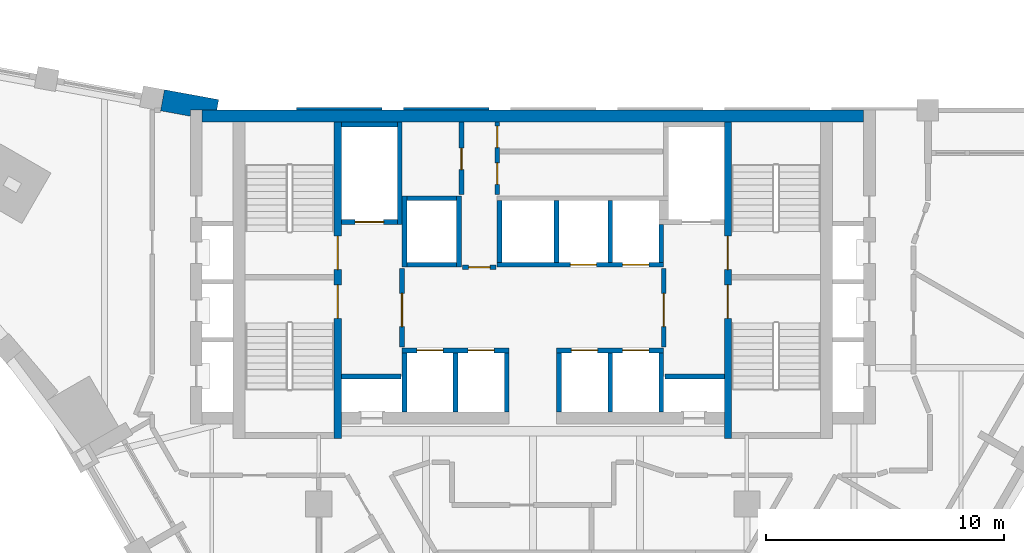
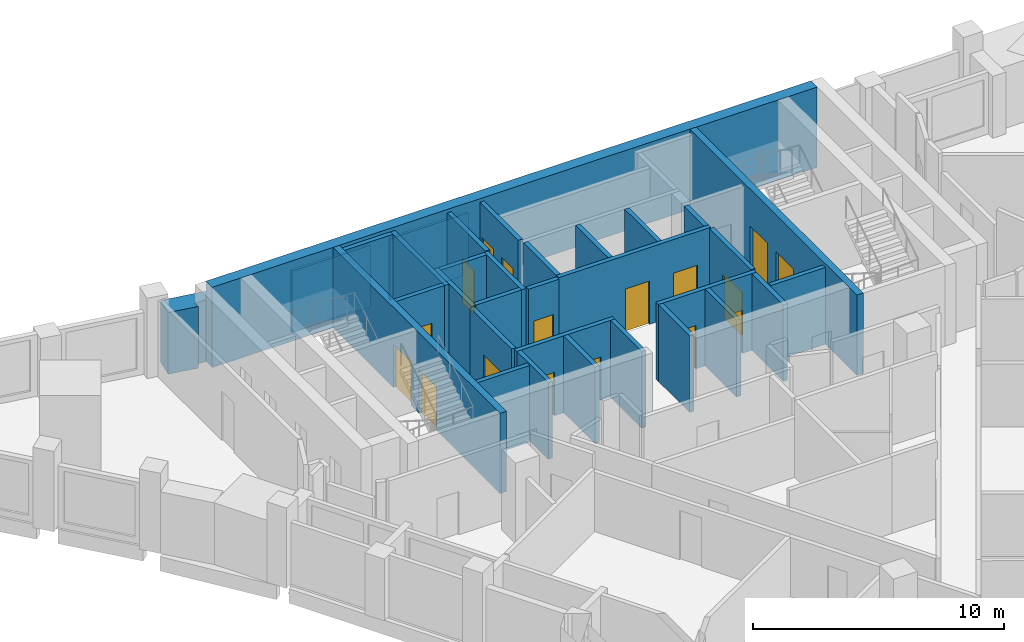
# One storey, part 6 of 9: 33 walls, 17 doors, 17 openings.
"""IFC4 building model written with IfcOpenShell, lengths in metres."""

import ifcopenshell
import ifcopenshell.guid

model = None  # the IFC model being written
_history = None  # IfcOwnerHistory: only IFC2X3 demands one
_inside = {}  # id of a spatial element -> (the spatial element, [elements in it])
_under = {}  # id of a project, library or spatial element -> (it, [spatial elements below it])
_declared = {}  # id of a project -> (the project, [libraries it declares])
_typed = {}  # id of a type object -> (the type object, [elements of that type])
_made_of = {}  # id of a material, layer set ... -> (it, [elements and type objects made of it])


def new_model(schema):
    """Start an empty IFC model of exactly this schema.

    Asked for "IFC4X3", IfcOpenShell would pick the latest addendum, in which some entities
    have other attributes; the version numbers below select the first issue.
    IFC2X3 requires an IfcOwnerHistory on every rooted entity: one is made here for all.
    """
    global model, _history
    if schema == "IFC4X3":
        model = ifcopenshell.file(schema_version=(4, 3, 0, 0))
    else:
        model = ifcopenshell.file(schema=schema)
    _inside.clear()
    _under.clear()
    _declared.clear()
    _typed.clear()
    _made_of.clear()
    _history = None
    if model.schema == "IFC2X3":
        org = make("IfcOrganization", Name="unknown")
        user = make(
            "IfcPersonAndOrganization",
            ThePerson=make("IfcPerson", FamilyName="unknown"),
            TheOrganization=org,
        )
        app = make(
            "IfcApplication",
            ApplicationDeveloper=org,
            Version="unknown",
            ApplicationFullName="unknown",
            ApplicationIdentifier="unknown",
        )
        _history = make(
            "IfcOwnerHistory",
            OwningUser=user,
            OwningApplication=app,
            ChangeAction="ADDED",
            CreationDate=0,
        )
    return model


def make(cls, **values):
    """One entity of the class cls with the attributes given. An attribute that is None is left unset."""
    return model.create_entity(
        cls, **{name: value for name, value in values.items() if value is not None}
    )


def rooted(cls, **values):
    """An entity with a GlobalId (a new one), such as an element, a storey or a relation."""
    return make(cls, GlobalId=ifcopenshell.guid.new(), OwnerHistory=_history, **values)


def si_unit(unit_type, name, prefix=None):
    """IfcSIUnit, for example si_unit("LENGTHUNIT", "METRE", prefix="MILLI")."""
    return make("IfcSIUnit", UnitType=unit_type, Prefix=prefix, Name=name)


def assignment(units):
    """IfcUnitAssignment: the units of a project."""
    return None if units is None else make("IfcUnitAssignment", Units=units)


def point(xyz):
    """IfcCartesianPoint."""
    return None if xyz is None else make("IfcCartesianPoint", Coordinates=xyz)


def direction(xyz):
    """IfcDirection."""
    return None if xyz is None else make("IfcDirection", DirectionRatios=xyz)


def frame(location, z_axis=None, x_axis=None):
    """IfcAxis2Placement3D, a coordinate frame: its origin and axes. An axis left out is left unset."""
    return make(
        "IfcAxis2Placement3D",
        Location=point(location),
        Axis=direction(z_axis),
        RefDirection=direction(x_axis),
    )


def frame_2d(location, x_axis=None):
    """IfcAxis2Placement2D, a coordinate frame in the plane: its origin and x axis."""
    return make(
        "IfcAxis2Placement2D", Location=point(location), RefDirection=direction(x_axis)
    )


def origin():
    """The frame at (0, 0, 0) with its axes left unset."""
    return frame((0.0, 0.0, 0.0))


def place(relative_to, where):
    """IfcLocalPlacement: puts the frame where relative to a parent placement (None: the world)."""
    return make(
        "IfcLocalPlacement", PlacementRelTo=relative_to, RelativePlacement=where
    )


def context(
    kind, dimensions, precision=None, world=None, true_north=None, identifier=None
):
    """IfcGeometricRepresentationContext, for example the 3D "Model" context."""
    return make(
        "IfcGeometricRepresentationContext",
        ContextIdentifier=identifier,
        ContextType=kind,
        CoordinateSpaceDimension=dimensions,
        Precision=precision,
        WorldCoordinateSystem=world,
        TrueNorth=true_north,
    )


def subcontext(parent, identifier, kind, view, scale=None):
    """IfcGeometricRepresentationSubContext, for example "Body" below "Model"."""
    return make(
        "IfcGeometricRepresentationSubContext",
        ContextIdentifier=identifier,
        ContextType=kind,
        ParentContext=parent,
        TargetScale=scale,
        TargetView=view,
    )


def project(units=None, contexts=None):
    """IfcProject with its units and contexts."""
    return rooted(
        "IfcProject",
        Name="project",
        RepresentationContexts=contexts,
        UnitsInContext=assignment(units),
    )


def spatial(cls, under=None, at=None, **own):
    """A site, building, storey or space (cls), placed at a placement, below another one or the project."""
    s = rooted(cls, ObjectPlacement=at, **own)
    if under is not None:
        _under.setdefault(under.id(), (under, []))[1].append(s)
    return s


def polyline(points):
    """IfcPolyline through the points."""
    return make("IfcPolyline", Points=[point(p) for p in points])


def profile(cls, at=None, kind="AREA", **sizes):
    """A parametric profile (cls). Its sizes go by their IFC names, for example OverallWidth=200.0."""
    return make(cls, ProfileType=kind, Position=at, **sizes)


def rectangle(**sizes):
    """IfcRectangleProfileDef."""
    return profile("IfcRectangleProfileDef", **sizes)


def outline(outer, holes=None, kind="AREA"):
    """IfcArbitraryClosedProfileDef: a profile drawn as a closed curve; with holes, ...WithVoids."""
    if holes is None:
        return make("IfcArbitraryClosedProfileDef", ProfileType=kind, OuterCurve=outer)
    return make(
        "IfcArbitraryProfileDefWithVoids",
        ProfileType=kind,
        OuterCurve=outer,
        InnerCurves=holes,
    )


def extrude(swept, where, along, depth):
    """IfcExtrudedAreaSolid: the profile swept, set in the frame where, extruded along a direction by depth."""
    return make(
        "IfcExtrudedAreaSolid",
        SweptArea=swept,
        Position=where,
        ExtrudedDirection=direction(along),
        Depth=depth,
    )


def shape(context_of_items, identifier, shape_type, items):
    """IfcShapeRepresentation: the items that make up one representation, for example the "Body"."""
    return make(
        "IfcShapeRepresentation",
        ContextOfItems=context_of_items,
        RepresentationIdentifier=identifier,
        RepresentationType=shape_type,
        Items=items,
    )


def material(Name=None, Category=None):
    """IfcMaterial."""
    return make("IfcMaterial", Name=Name, Category=Category)


def layer(
    of_material, thickness, ventilated=None, Name=None, Category=None, Priority=None
):
    """IfcMaterialLayer: one layer of a wall or slab, of a material (None: an air gap)."""
    return make(
        "IfcMaterialLayer",
        Material=of_material,
        LayerThickness=thickness,
        IsVentilated=ventilated,
        Name=Name,
        Category=Category,
        Priority=Priority,
    )


def layer_set(layers, Name=None):
    """IfcMaterialLayerSet."""
    return make("IfcMaterialLayerSet", MaterialLayers=layers, LayerSetName=Name)


def made_of(thing, what):
    """Note that an element or type object is made of a material, layer set ...; save() writes the relation."""
    if what is not None:
        _made_of.setdefault(what.id(), (what, []))[1].append(thing)
    return thing


def type_object(cls, material=None, **own):
    """A type object (cls), such as IfcWallType, which elements share."""
    return made_of(rooted(cls, **own), material)


def element(
    cls,
    number,
    at=None,
    inside=None,
    cuts=None,
    type_object=None,
    material=None,
    context=None,
    identifier="Body",
    shape_type=None,
    held_by="IfcProductDefinitionShape",
    body=None,
    shapes=None,
    **own,
):
    """One element of the class cls, such as IfcWall. Its Tag is "e" and its number.

    at: its placement. inside: the storey or other place that contains it. cuts: it is an
    opening in that element (IfcRelVoidsElement). A single representation is given by context,
    identifier, shape_type and body (its items); several are given by shapes. held_by: the class
    of the entity that holds the representations. save() writes the other relations.
    """
    e = rooted(cls, Tag="e%d" % number, ObjectPlacement=at, **own)
    if body is not None:
        shapes = [shape(context, identifier, shape_type, body)]
    if shapes is not None:
        e.Representation = make(held_by, Representations=shapes)
    if inside is not None:
        _inside.setdefault(inside.id(), (inside, []))[1].append(e)
    if cuts is not None:
        rooted(
            "IfcRelVoidsElement", RelatingBuildingElement=cuts, RelatedOpeningElement=e
        )
    if type_object is not None:
        _typed.setdefault(type_object.id(), (type_object, []))[1].append(e)
    return made_of(e, material)


def fill(opening, filler):
    """IfcRelFillsElement: the door or window that sits in an opening."""
    return rooted(
        "IfcRelFillsElement",
        RelatingOpeningElement=opening,
        RelatedBuildingElement=filler,
    )


def aggregate(whole, parts):
    """IfcRelAggregates: a whole, such as a stair, and the parts it consists of."""
    return rooted("IfcRelAggregates", RelatingObject=whole, RelatedObjects=parts)


def save(model, path):
    """Write the relations noted so far, then the file.

    IfcRelAggregates (storeys below a building ...), IfcRelContainedInSpatialStructure (elements
    in a storey), IfcRelDefinesByType, IfcRelAssociatesMaterial and IfcRelDeclares: one each for
    every whole, place, type object, material and project.
    """
    for whole, parts in _under.values():
        aggregate(whole, parts)
    for where, things in _inside.values():
        rooted(
            "IfcRelContainedInSpatialStructure",
            RelatedElements=things,
            RelatingStructure=where,
        )
    for kind, things in _typed.values():
        rooted("IfcRelDefinesByType", RelatedObjects=things, RelatingType=kind)
    for what, things in _made_of.values():
        rooted("IfcRelAssociatesMaterial", RelatedObjects=things, RelatingMaterial=what)
    for by, libraries in _declared.values():
        rooted("IfcRelDeclares", RelatingContext=by, RelatedDefinitions=libraries)
    model.write(path)


model = new_model("IFC4")

# Units and contexts
model_context = context("Model", 3, precision=1e-05, world=origin(), true_north=direction((0.0, 1.0)))
body_context = subcontext(model_context, "Body", "Model", "MODEL_VIEW")
ifc_project = project(units=[si_unit("LENGTHUNIT", "METRE"), si_unit("AREAUNIT", "SQUARE_METRE"), si_unit("VOLUMEUNIT", "CUBIC_METRE"), si_unit("PLANEANGLEUNIT", "RADIAN"), si_unit("MASSUNIT", "GRAM", prefix="KILO")], contexts=[model_context])

# Site, building, storey
site_placement = place(None, origin())
site = spatial("IfcSite", under=ifc_project, at=site_placement, CompositionType="ELEMENT")
building_placement = place(site_placement, origin())
building = spatial("IfcBuilding", under=site, at=building_placement, Name="Calabash Gate Tower", CompositionType="ELEMENT")
storey_placement = place(building_placement, frame((0.0, 0.0, 215.89990234375)))
storey = spatial("IfcBuildingStorey", under=building, at=storey_placement, Name="L51", CompositionType="ELEMENT", Elevation=215.89990234375)

# Wall
ifc_material_1 = material(Name="Terracotta brick masonry, exposed face", Category="masonry")
ifc_layer_1 = layer(ifc_material_1, 0.89990234375)
ifc_layer_set_1 = layer_set([ifc_layer_1], Name="Brick end wall 900")
wall_type_1 = type_object("IfcWallType", Name="Brick end wall 900", PredefinedType="SOLIDWALL", material=ifc_layer_set_1)
wall_1_placement = place(storey_placement, origin())
element("IfcWall", 1, at=wall_1_placement, inside=storey, type_object=wall_type_1, Name="Brick end wall S14 1", PredefinedType="SOLIDWALL", context=body_context, shape_type="SweptSolid", body=[
    extrude(outline(polyline([(-15.651611328125, 19.02734375), (-15.65185546875, 19.027099609375), (-14.39990234375, 18.798095703125), (-14.39990234375, 19.052490234375), (-13.291015625, 19.052490234375), (-13.2099609375, 19.4951171875), (-15.489501953125, 19.912353515625), (-15.6513671875, 19.02734375), (-15.651611328125, 19.02734375)])), origin(), (0.0, 0.0, 1.0), 3.0),
])

# Wall, openings, doors
ifc_material_2 = material(Name="Concrete C70/85", Category="concrete")
ifc_layer_2 = layer(ifc_material_2, 0.300048828125)
ifc_layer_set_2 = layer_set([ifc_layer_2], Name="Core wall 300 Concrete C70/85")
wall_type_2 = type_object("IfcWallType", Name="Core wall 300 Concrete C70/85", PredefinedType="SHEAR", material=ifc_layer_set_2)
wall_2_placement = place(storey_placement, frame((-8.199951171875, 5.252685546875, 0.0), z_axis=(0.0, 0.0, 1.0), x_axis=(0.0, 1.0, 0.0)))
wall_2 = element("IfcWall", 2, at=wall_2_placement, inside=storey, type_object=wall_type_2, Name="Core wall Z4-PARTW L51", PredefinedType="SHEAR", context=body_context, shape_type="SweptSolid", body=[
    extrude(rectangle(XDim=13.2998046875, YDim=0.300048828125, at=frame_2d((6.64990234375, 0.0))), origin(), (0.0, 0.0, 1.0), 3.900146484375),
])
opening_1_placement = place(wall_2_placement, frame((7.10009765625, 0.0, 0.0)))
opening_1 = element("IfcOpeningElement", 3, at=opening_1_placement, cuts=wall_2, Name="Opening O6-017", PredefinedType="OPENING", context=body_context, shape_type="SweptSolid", body=[
    extrude(rectangle(XDim=1.39990234375, YDim=2.10009765625, at=frame_2d((0.699951171875, 1.050048828125))), frame((0.0, 0.159912109375, 0.0), z_axis=(0.0, -1.0, 0.0), x_axis=(1.0, 0.0, 0.0)), (0.0, 0.0, 1.0), 0.320068359375),
])
opening_2_placement = place(wall_2_placement, frame((5.050048828125, 0.0, 0.0)))
opening_2 = element("IfcOpeningElement", 4, at=opening_2_placement, cuts=wall_2, Name="Opening O6-018", PredefinedType="OPENING", context=body_context, shape_type="SweptSolid", body=[
    extrude(rectangle(XDim=1.39990234375, YDim=2.10009765625, at=frame_2d((0.699951171875, 1.050048828125))), frame((0.0, 0.159912109375, 0.0), z_axis=(0.0, -1.0, 0.0), x_axis=(1.0, 0.0, 0.0)), (0.0, 0.0, 1.0), 0.320068359375),
])
ifc_material_3 = material(Name="Steel fire door set with fire-resisting glazing", Category="steel")
door_type_1 = type_object("IfcDoorType", Name="Fire door D05 1400x2100 FD90", OperationType="NOTDEFINED", PredefinedType="DOOR", material=ifc_material_3)
door_1_placement = place(opening_1_placement, origin())
door_1 = element("IfcDoor", 5, at=door_1_placement, inside=storey, type_object=door_type_1, Name="Exit stair door ST1", OperationType="SINGLE_SWING_LEFT", OverallHeight=2.10009765625, OverallWidth=1.39990234375, PredefinedType="DOOR", context=body_context, shape_type="SweptSolid", body=[
    extrude(rectangle(XDim=1.39990234375, YDim=2.10009765625, at=frame_2d((0.699951171875, 1.050048828125))), frame((0.0, 0.02490234375, 0.0), z_axis=(0.0, -1.0, 0.0), x_axis=(1.0, 0.0, 0.0)), (0.0, 0.0, 1.0), 0.050048828125),
])
fill(opening_1, door_1)
door_2_placement = place(opening_2_placement, origin())
door_2 = element("IfcDoor", 6, at=door_2_placement, inside=storey, type_object=door_type_1, Name="Exit stair door ST2", OperationType="SINGLE_SWING_LEFT", OverallHeight=2.10009765625, OverallWidth=1.39990234375, PredefinedType="DOOR", context=body_context, shape_type="SweptSolid", body=[
    extrude(rectangle(XDim=1.39990234375, YDim=2.10009765625, at=frame_2d((0.699951171875, 1.050048828125))), frame((0.0, 0.02490234375, 0.0), z_axis=(0.0, -1.0, 0.0), x_axis=(1.0, 0.0, 0.0)), (0.0, 0.0, 1.0), 0.050048828125),
])
fill(opening_2, door_2)

wall_3_placement = place(storey_placement, frame((8.199951171875, 5.252685546875, 0.0), z_axis=(0.0, 0.0, 1.0), x_axis=(0.0, 1.0, 0.0)))
wall_3 = element("IfcWall", 7, at=wall_3_placement, inside=storey, type_object=wall_type_2, Name="Core wall Z4-PARTE L51", PredefinedType="SHEAR", context=body_context, shape_type="SweptSolid", body=[
    extrude(rectangle(XDim=13.2998046875, YDim=0.300048828125, at=frame_2d((6.64990234375, 0.0))), origin(), (0.0, 0.0, 1.0), 3.900146484375),
])
opening_3_placement = place(wall_3_placement, frame((7.10009765625, 0.0, 0.0)))
opening_3 = element("IfcOpeningElement", 8, at=opening_3_placement, cuts=wall_3, Name="Opening O6-019", PredefinedType="OPENING", context=body_context, shape_type="SweptSolid", body=[
    extrude(rectangle(XDim=1.39990234375, YDim=2.10009765625, at=frame_2d((0.699951171875, 1.050048828125))), frame((0.0, 0.159912109375, 0.0), z_axis=(0.0, -1.0, 0.0), x_axis=(1.0, 0.0, 0.0)), (0.0, 0.0, 1.0), 0.320068359375),
])
opening_4_placement = place(wall_3_placement, frame((5.050048828125, 0.0, 0.0)))
opening_4 = element("IfcOpeningElement", 9, at=opening_4_placement, cuts=wall_3, Name="Opening O6-020", PredefinedType="OPENING", context=body_context, shape_type="SweptSolid", body=[
    extrude(rectangle(XDim=1.39990234375, YDim=2.10009765625, at=frame_2d((0.699951171875, 1.050048828125))), frame((0.0, 0.159912109375, 0.0), z_axis=(0.0, -1.0, 0.0), x_axis=(1.0, 0.0, 0.0)), (0.0, 0.0, 1.0), 0.320068359375),
])
door_3_placement = place(opening_3_placement, origin())
door_3 = element("IfcDoor", 10, at=door_3_placement, inside=storey, type_object=door_type_1, Name="Exit stair door ST3", OperationType="SINGLE_SWING_RIGHT", OverallHeight=2.10009765625, OverallWidth=1.39990234375, PredefinedType="DOOR", context=body_context, shape_type="SweptSolid", body=[
    extrude(rectangle(XDim=1.39990234375, YDim=2.10009765625, at=frame_2d((0.699951171875, 1.050048828125))), frame((0.0, 0.02490234375, 0.0), z_axis=(0.0, -1.0, 0.0), x_axis=(1.0, 0.0, 0.0)), (0.0, 0.0, 1.0), 0.050048828125),
])
fill(opening_3, door_3)
door_4_placement = place(opening_4_placement, origin())
door_4 = element("IfcDoor", 11, at=door_4_placement, inside=storey, type_object=door_type_1, Name="Exit stair door ST4", OperationType="SINGLE_SWING_LEFT", OverallHeight=2.10009765625, OverallWidth=1.39990234375, PredefinedType="DOOR", context=body_context, shape_type="SweptSolid", body=[
    extrude(rectangle(XDim=1.39990234375, YDim=2.10009765625, at=frame_2d((0.699951171875, 1.050048828125))), frame((0.0, 0.02490234375, 0.0), z_axis=(0.0, -1.0, 0.0), x_axis=(1.0, 0.0, 0.0)), (0.0, 0.0, 1.0), 0.050048828125),
])
fill(opening_4, door_4)

# Walls
ifc_material_4 = material(Name="Concrete C70/85", Category="concrete")
ifc_layer_3 = layer(ifc_material_4, 0.5)
ifc_layer_set_3 = layer_set([ifc_layer_3], Name="Core wall 500 Concrete C70/85")
wall_type_3 = type_object("IfcWallType", Name="Core wall 500 Concrete C70/85", PredefinedType="SHEAR", material=ifc_layer_set_3)
wall_4_placement = place(storey_placement, frame((-13.89990234375, 18.802490234375, 0.0), z_axis=(0.0, 0.0, 1.0), x_axis=(1.0, 0.0, 0.0)))
element("IfcWall", 12, at=wall_4_placement, inside=storey, type_object=wall_type_3, Name="Core wall Z4-N L51", PredefinedType="SHEAR", context=body_context, shape_type="SweptSolid", body=[
    extrude(rectangle(XDim=27.7998046875, YDim=0.5, at=frame_2d((13.89990234375, 0.0))), origin(), (0.0, 0.0, 1.0), 3.900146484375),
])
ifc_material_5 = material(Name="Concrete C40/50", Category="concrete")
ifc_layer_4 = layer(ifc_material_5, 0.199951171875)
ifc_layer_set_4 = layer_set([ifc_layer_4], Name="Shaft wall 200 Concrete C40/50")
wall_type_4 = type_object("IfcWallType", Name="Shaft wall 200 Concrete C40/50", PredefinedType="SOLIDWALL", material=ifc_layer_set_4)
for number, where, z_axis, x_axis, name in (
    (13, (-5.39990234375, 6.3525390625, 0.0), (0.0, 0.0, 1.0), (0.0, 1.0, 0.0), "Shaft wall"),
    (14, (-3.25, 6.3525390625, 0.0), (0.0, 0.0, 1.0), (0.0, 1.0, 0.0), "Shaft wall"),
    (15, (-1.10009765625, 6.3525390625, 0.0), (0.0, 0.0, 1.0), (0.0, 1.0, 0.0), "Shaft wall"),
    (16, (1.10009765625, 6.3525390625, 0.0), (0.0, 0.0, 1.0), (0.0, 1.0, 0.0), "Shaft wall"),
    (17, (3.25, 6.3525390625, 0.0), (0.0, 0.0, 1.0), (0.0, 1.0, 0.0), "Shaft wall"),
    (18, (5.39990234375, 6.3525390625, 0.0), (0.0, 0.0, 1.0), (0.0, 1.0, 0.0), "Shaft wall"),
    (19, (-8.050048828125, 7.8525390625, 0.0), (0.0, 0.0, 1.0), (1.0, 0.0, 0.0), "Shaft wall"),
    (20, (5.550048828125, 7.8525390625, 0.0), (0.0, 0.0, 1.0), (1.0, 0.0, 0.0), "Shaft wall"),
):
    element("IfcWall", number, at=place(storey_placement, frame(where, z_axis=z_axis, x_axis=x_axis)), inside=storey, type_object=wall_type_4, Name=name, PredefinedType="SOLIDWALL", context=body_context, shape_type="SweptSolid", body=[
        extrude(rectangle(XDim=2.5, YDim=0.199951171875, at=frame_2d((1.25, 0.0))), origin(), (0.0, 0.0, 1.0), 3.72998046875),
    ])

# Wall, openings, doors
wall_5_placement = place(storey_placement, frame((-5.5, 8.95263671875, 0.0), z_axis=(0.0, 0.0, 1.0), x_axis=(1.0, 0.0, 0.0)))
wall_5 = element("IfcWall", 21, at=wall_5_placement, inside=storey, type_object=wall_type_4, Name="Shaft wall", PredefinedType="SOLIDWALL", context=body_context, shape_type="SweptSolid", body=[
    extrude(rectangle(XDim=4.5, YDim=0.199951171875, at=frame_2d((2.25, 0.0))), origin(), (0.0, 0.0, 1.0), 3.72998046875),
])
opening_5_placement = place(wall_5_placement, frame((0.625, 0.0, 0.0)))
opening_5 = element("IfcOpeningElement", 22, at=opening_5_placement, cuts=wall_5, Name="Opening LD-HR1", PredefinedType="OPENING", context=body_context, shape_type="SweptSolid", body=[
    extrude(rectangle(XDim=1.10009765625, YDim=2.10009765625, at=frame_2d((0.550048828125, 1.050048828125))), frame((0.0, 0.10986328125, 0.0), z_axis=(0.0, -1.0, 0.0), x_axis=(1.0, 0.0, 0.0)), (0.0, 0.0, 1.0), 0.219970703125),
])
opening_6_placement = place(wall_5_placement, frame((2.77490234375, 0.0, 0.0)))
opening_6 = element("IfcOpeningElement", 23, at=opening_6_placement, cuts=wall_5, Name="Opening LD-HR2", PredefinedType="OPENING", context=body_context, shape_type="SweptSolid", body=[
    extrude(rectangle(XDim=1.10009765625, YDim=2.10009765625, at=frame_2d((0.550048828125, 1.050048828125))), frame((0.0, 0.10986328125, 0.0), z_axis=(0.0, -1.0, 0.0), x_axis=(1.0, 0.0, 0.0)), (0.0, 0.0, 1.0), 0.219970703125),
])
ifc_material_6 = material(Name="Stainless steel sliding door leaves", Category="steel")
door_type_2 = type_object("IfcDoorType", Name="Lift landing door LS1 1100x2100 FD90", OperationType="DOUBLE_DOOR_SLIDING", PredefinedType="DOOR", material=ifc_material_6)
door_5_placement = place(opening_5_placement, origin())
door_5 = element("IfcDoor", 24, at=door_5_placement, inside=storey, type_object=door_type_2, Name="Lift landing door HR1", OperationType="DOUBLE_DOOR_SLIDING", OverallHeight=2.10009765625, OverallWidth=1.10009765625, PredefinedType="DOOR", context=body_context, shape_type="SweptSolid", body=[
    extrude(rectangle(XDim=1.10009765625, YDim=2.10009765625, at=frame_2d((0.550048828125, 1.050048828125))), frame((0.0, 0.02490234375, 0.0), z_axis=(0.0, -1.0, 0.0), x_axis=(1.0, 0.0, 0.0)), (0.0, 0.0, 1.0), 0.050048828125),
])
fill(opening_5, door_5)
door_6_placement = place(opening_6_placement, origin())
door_6 = element("IfcDoor", 25, at=door_6_placement, inside=storey, type_object=door_type_2, Name="Lift landing door HR2", OperationType="DOUBLE_DOOR_SLIDING", OverallHeight=2.10009765625, OverallWidth=1.10009765625, PredefinedType="DOOR", context=body_context, shape_type="SweptSolid", body=[
    extrude(rectangle(XDim=1.10009765625, YDim=2.10009765625, at=frame_2d((0.550048828125, 1.050048828125))), frame((0.0, 0.02490234375, 0.0), z_axis=(0.0, -1.0, 0.0), x_axis=(1.0, 0.0, 0.0)), (0.0, 0.0, 1.0), 0.050048828125),
])
fill(opening_6, door_6)

wall_6_placement = place(storey_placement, frame((1.0, 8.95263671875, 0.0), z_axis=(0.0, 0.0, 1.0), x_axis=(1.0, 0.0, 0.0)))
wall_6 = element("IfcWall", 26, at=wall_6_placement, inside=storey, type_object=wall_type_4, Name="Shaft wall", PredefinedType="SOLIDWALL", context=body_context, shape_type="SweptSolid", body=[
    extrude(rectangle(XDim=4.5, YDim=0.199951171875, at=frame_2d((2.25, 0.0))), origin(), (0.0, 0.0, 1.0), 3.72998046875),
])
opening_7_placement = place(wall_6_placement, frame((0.625, 0.0, 0.0)))
opening_7 = element("IfcOpeningElement", 27, at=opening_7_placement, cuts=wall_6, Name="Opening LD-HR3", PredefinedType="OPENING", context=body_context, shape_type="SweptSolid", body=[
    extrude(rectangle(XDim=1.10009765625, YDim=2.10009765625, at=frame_2d((0.550048828125, 1.050048828125))), frame((0.0, 0.10986328125, 0.0), z_axis=(0.0, -1.0, 0.0), x_axis=(1.0, 0.0, 0.0)), (0.0, 0.0, 1.0), 0.219970703125),
])
opening_8_placement = place(wall_6_placement, frame((2.77490234375, 0.0, 0.0)))
opening_8 = element("IfcOpeningElement", 28, at=opening_8_placement, cuts=wall_6, Name="Opening LD-HR4", PredefinedType="OPENING", context=body_context, shape_type="SweptSolid", body=[
    extrude(rectangle(XDim=1.10009765625, YDim=2.10009765625, at=frame_2d((0.550048828125, 1.050048828125))), frame((0.0, 0.10986328125, 0.0), z_axis=(0.0, -1.0, 0.0), x_axis=(1.0, 0.0, 0.0)), (0.0, 0.0, 1.0), 0.219970703125),
])
door_7_placement = place(opening_7_placement, origin())
door_7 = element("IfcDoor", 29, at=door_7_placement, inside=storey, type_object=door_type_2, Name="Lift landing door HR3", OperationType="DOUBLE_DOOR_SLIDING", OverallHeight=2.10009765625, OverallWidth=1.10009765625, PredefinedType="DOOR", context=body_context, shape_type="SweptSolid", body=[
    extrude(rectangle(XDim=1.10009765625, YDim=2.10009765625, at=frame_2d((0.550048828125, 1.050048828125))), frame((0.0, 0.02490234375, 0.0), z_axis=(0.0, -1.0, 0.0), x_axis=(1.0, 0.0, 0.0)), (0.0, 0.0, 1.0), 0.050048828125),
])
fill(opening_7, door_7)
door_8_placement = place(opening_8_placement, origin())
door_8 = element("IfcDoor", 30, at=door_8_placement, inside=storey, type_object=door_type_2, Name="Lift landing door HR4", OperationType="DOUBLE_DOOR_SLIDING", OverallHeight=2.10009765625, OverallWidth=1.10009765625, PredefinedType="DOOR", context=body_context, shape_type="SweptSolid", body=[
    extrude(rectangle(XDim=1.10009765625, YDim=2.10009765625, at=frame_2d((0.550048828125, 1.050048828125))), frame((0.0, 0.02490234375, 0.0), z_axis=(0.0, -1.0, 0.0), x_axis=(1.0, 0.0, 0.0)), (0.0, 0.0, 1.0), 0.050048828125),
])
fill(opening_8, door_8)

# Wall, opening, door
wall_7_placement = place(storey_placement, frame((-5.5, 9.1025390625, 0.0), z_axis=(0.0, 0.0, 1.0), x_axis=(0.0, 1.0, 0.0)))
wall_7 = element("IfcWall", 31, at=wall_7_placement, inside=storey, type_object=wall_type_4, Name="Shaft wall", PredefinedType="SOLIDWALL", context=body_context, shape_type="SweptSolid", body=[
    extrude(rectangle(XDim=3.300048828125, YDim=0.199951171875, at=frame_2d((1.64990234375, 0.0))), origin(), (0.0, 0.0, 1.0), 3.72998046875),
])
opening_9_placement = place(wall_7_placement, frame((0.85009765625, 0.0, 0.0)))
opening_9 = element("IfcOpeningElement", 32, at=opening_9_placement, cuts=wall_7, Name="Opening O6-011", PredefinedType="OPENING", context=body_context, shape_type="SweptSolid", body=[
    extrude(rectangle(XDim=1.39990234375, YDim=2.10009765625, at=frame_2d((0.699951171875, 1.050048828125))), frame((0.0, 0.10986328125, 0.0), z_axis=(0.0, -1.0, 0.0), x_axis=(1.0, 0.0, 0.0)), (0.0, 0.0, 1.0), 0.219970703125),
])
door_9_placement = place(opening_9_placement, origin())
door_9 = element("IfcDoor", 33, at=door_9_placement, inside=storey, type_object=door_type_1, Name="Firefighting Lobby W door", OperationType="SINGLE_SWING_RIGHT", OverallHeight=2.10009765625, OverallWidth=1.39990234375, PredefinedType="DOOR", context=body_context, shape_type="SweptSolid", body=[
    extrude(rectangle(XDim=1.39990234375, YDim=2.10009765625, at=frame_2d((0.699951171875, 1.050048828125))), frame((0.0, 0.02490234375, 0.0), z_axis=(0.0, -1.0, 0.0), x_axis=(1.0, 0.0, 0.0)), (0.0, 0.0, 1.0), 0.050048828125),
])
fill(opening_9, door_9)

wall_8_placement = place(storey_placement, frame((5.5, 9.1025390625, 0.0), z_axis=(0.0, 0.0, 1.0), x_axis=(0.0, 1.0, 0.0)))
wall_8 = element("IfcWall", 34, at=wall_8_placement, inside=storey, type_object=wall_type_4, Name="Shaft wall", PredefinedType="SOLIDWALL", context=body_context, shape_type="SweptSolid", body=[
    extrude(rectangle(XDim=3.300048828125, YDim=0.199951171875, at=frame_2d((1.64990234375, 0.0))), origin(), (0.0, 0.0, 1.0), 3.72998046875),
])
opening_10_placement = place(wall_8_placement, frame((0.85009765625, 0.0, 0.0)))
opening_10 = element("IfcOpeningElement", 35, at=opening_10_placement, cuts=wall_8, Name="Opening O6-010", PredefinedType="OPENING", context=body_context, shape_type="SweptSolid", body=[
    extrude(rectangle(XDim=1.39990234375, YDim=2.10009765625, at=frame_2d((0.699951171875, 1.050048828125))), frame((0.0, 0.10986328125, 0.0), z_axis=(0.0, -1.0, 0.0), x_axis=(1.0, 0.0, 0.0)), (0.0, 0.0, 1.0), 0.219970703125),
])
door_10_placement = place(opening_10_placement, origin())
door_10 = element("IfcDoor", 36, at=door_10_placement, inside=storey, type_object=door_type_1, Name="Firefighting Lobby E door", OperationType="SINGLE_SWING_LEFT", OverallHeight=2.10009765625, OverallWidth=1.39990234375, PredefinedType="DOOR", context=body_context, shape_type="SweptSolid", body=[
    extrude(rectangle(XDim=1.39990234375, YDim=2.10009765625, at=frame_2d((0.699951171875, 1.050048828125))), frame((0.0, 0.02490234375, 0.0), z_axis=(0.0, -1.0, 0.0), x_axis=(1.0, 0.0, 0.0)), (0.0, 0.0, 1.0), 0.050048828125),
])
fill(opening_10, door_10)

wall_9_placement = place(storey_placement, frame((-2.949951171875, 12.45263671875, 0.0), z_axis=(0.0, 0.0, 1.0), x_axis=(1.0, 0.0, 0.0)))
wall_9 = element("IfcWall", 37, at=wall_9_placement, inside=storey, type_object=wall_type_4, Name="Shaft wall", PredefinedType="SOLIDWALL", context=body_context, shape_type="SweptSolid", body=[
    extrude(rectangle(XDim=1.39990234375, YDim=0.199951171875, at=frame_2d((0.699951171875, 0.0))), origin(), (0.0, 0.0, 1.0), 3.72998046875),
])
opening_11_placement = place(wall_9_placement, frame((0.25, 0.0, 0.0)))
opening_11 = element("IfcOpeningElement", 38, at=opening_11_placement, cuts=wall_9, Name="Opening O6-009", PredefinedType="OPENING", context=body_context, shape_type="SweptSolid", body=[
    extrude(rectangle(XDim=0.89990234375, YDim=2.10009765625, at=frame_2d((0.449951171875, 1.050048828125))), frame((0.0, 0.10986328125, 0.0), z_axis=(0.0, -1.0, 0.0), x_axis=(1.0, 0.0, 0.0)), (0.0, 0.0, 1.0), 0.219970703125),
])
ifc_material_7 = material(Name="Steel fire door set with fire-resisting glazing", Category="steel")
door_type_3 = type_object("IfcDoorType", Name="Fire door D06 900x2100 FD60", OperationType="NOTDEFINED", PredefinedType="DOOR", material=ifc_material_7)
door_11_placement = place(opening_11_placement, origin())
door_11 = element("IfcDoor", 39, at=door_11_placement, inside=storey, type_object=door_type_3, Name="Service Corridor door", OperationType="SINGLE_SWING_RIGHT", OverallHeight=2.10009765625, OverallWidth=0.89990234375, PredefinedType="DOOR", context=body_context, shape_type="SweptSolid", body=[
    extrude(rectangle(XDim=0.89990234375, YDim=2.10009765625, at=frame_2d((0.449951171875, 1.050048828125))), frame((0.0, 0.02490234375, 0.0), z_axis=(0.0, -1.0, 0.0), x_axis=(1.0, 0.0, 0.0)), (0.0, 0.0, 1.0), 0.050048828125),
])
fill(opening_11, door_11)

# Walls
wall_10_placement = place(storey_placement, frame((-5.39990234375, 12.45263671875, 0.0), z_axis=(0.0, 0.0, 1.0), x_axis=(0.0, 1.0, 0.0)))
element("IfcWall", 40, at=wall_10_placement, inside=storey, type_object=wall_type_4, Name="Shaft wall", PredefinedType="SOLIDWALL", context=body_context, shape_type="SweptSolid", body=[
    extrude(rectangle(XDim=3.0, YDim=0.199951171875, at=frame_2d((1.5, 0.0))), origin(), (0.0, 0.0, 1.0), 3.72998046875),
])
wall_11_placement = place(storey_placement, frame((-5.300048828125, 12.552490234375, 0.0), z_axis=(0.0, 0.0, 1.0), x_axis=(1.0, 0.0, 0.0)))
element("IfcWall", 41, at=wall_11_placement, inside=storey, type_object=wall_type_4, Name="Shaft wall", PredefinedType="SOLIDWALL", context=body_context, shape_type="SweptSolid", body=[
    extrude(rectangle(XDim=2.10009765625, YDim=0.199951171875, at=frame_2d((1.050048828125, 0.0))), origin(), (0.0, 0.0, 1.0), 3.72998046875),
])
wall_12_placement = place(storey_placement, frame((-3.10009765625, 12.45263671875, 0.0), z_axis=(0.0, 0.0, 1.0), x_axis=(0.0, 1.0, 0.0)))
element("IfcWall", 42, at=wall_12_placement, inside=storey, type_object=wall_type_4, Name="Shaft wall", PredefinedType="SOLIDWALL", context=body_context, shape_type="SweptSolid", body=[
    extrude(rectangle(XDim=3.0, YDim=0.199951171875, at=frame_2d((1.5, 0.0))), origin(), (0.0, 0.0, 1.0), 3.72998046875),
])

# Wall, openings, doors
wall_13_placement = place(storey_placement, frame((-1.5, 12.552490234375, 0.0), z_axis=(0.0, 0.0, 1.0), x_axis=(1.0, 0.0, 0.0)))
wall_13 = element("IfcWall", 43, at=wall_13_placement, inside=storey, type_object=wall_type_4, Name="Shaft wall", PredefinedType="SOLIDWALL", context=body_context, shape_type="SweptSolid", body=[
    extrude(rectangle(XDim=7.0, YDim=0.199951171875, at=frame_2d((3.5, 0.0))), origin(), (0.0, 0.0, 1.0), 3.72998046875),
])
opening_12_placement = place(wall_13_placement, frame((3.074951171875, 0.0, 0.0)))
opening_12 = element("IfcOpeningElement", 44, at=opening_12_placement, cuts=wall_13, Name="Opening LD-HR5", PredefinedType="OPENING", context=body_context, shape_type="SweptSolid", body=[
    extrude(rectangle(XDim=1.10009765625, YDim=2.10009765625, at=frame_2d((0.550048828125, 1.050048828125))), frame((0.0, 0.10986328125, 0.0), z_axis=(0.0, -1.0, 0.0), x_axis=(1.0, 0.0, 0.0)), (0.0, 0.0, 1.0), 0.219970703125),
])
opening_13_placement = place(wall_13_placement, frame((5.27490234375, 0.0, 0.0)))
opening_13 = element("IfcOpeningElement", 45, at=opening_13_placement, cuts=wall_13, Name="Opening LD-HR6", PredefinedType="OPENING", context=body_context, shape_type="SweptSolid", body=[
    extrude(rectangle(XDim=1.10009765625, YDim=2.10009765625, at=frame_2d((0.550048828125, 1.050048828125))), frame((0.0, 0.10986328125, 0.0), z_axis=(0.0, -1.0, 0.0), x_axis=(1.0, 0.0, 0.0)), (0.0, 0.0, 1.0), 0.219970703125),
])
door_12_placement = place(opening_12_placement, origin())
door_12 = element("IfcDoor", 46, at=door_12_placement, inside=storey, type_object=door_type_2, Name="Lift landing door HR5", OperationType="DOUBLE_DOOR_SLIDING", OverallHeight=2.10009765625, OverallWidth=1.10009765625, PredefinedType="DOOR", context=body_context, shape_type="SweptSolid", body=[
    extrude(rectangle(XDim=1.10009765625, YDim=2.10009765625, at=frame_2d((0.550048828125, 1.050048828125))), frame((0.0, 0.02490234375, 0.0), z_axis=(0.0, -1.0, 0.0), x_axis=(1.0, 0.0, 0.0)), (0.0, 0.0, 1.0), 0.050048828125),
])
fill(opening_12, door_12)
door_13_placement = place(opening_13_placement, origin())
door_13 = element("IfcDoor", 47, at=door_13_placement, inside=storey, type_object=door_type_2, Name="Lift landing door HR6", OperationType="DOUBLE_DOOR_SLIDING", OverallHeight=2.10009765625, OverallWidth=1.10009765625, PredefinedType="DOOR", context=body_context, shape_type="SweptSolid", body=[
    extrude(rectangle(XDim=1.10009765625, YDim=2.10009765625, at=frame_2d((0.550048828125, 1.050048828125))), frame((0.0, 0.02490234375, 0.0), z_axis=(0.0, -1.0, 0.0), x_axis=(1.0, 0.0, 0.0)), (0.0, 0.0, 1.0), 0.050048828125),
])
fill(opening_13, door_13)

# Walls
for number, where, z_axis, x_axis, name in (
    (48, (-1.39990234375, 12.652587890625, 0.0), (0.0, 0.0, 1.0), (0.0, 1.0, 0.0), "Shaft wall"),
    (49, (1.0, 12.652587890625, 0.0), (0.0, 0.0, 1.0), (0.0, 1.0, 0.0), "Shaft wall"),
    (50, (3.25, 12.652587890625, 0.0), (0.0, 0.0, 1.0), (0.0, 1.0, 0.0), "Shaft wall"),
):
    element("IfcWall", number, at=place(storey_placement, frame(where, z_axis=z_axis, x_axis=x_axis)), inside=storey, type_object=wall_type_4, Name=name, PredefinedType="SOLIDWALL", context=body_context, shape_type="SweptSolid", body=[
        extrude(rectangle(XDim=2.60009765625, YDim=0.199951171875, at=frame_2d((1.300048828125, 0.0))), origin(), (0.0, 0.0, 1.0), 3.72998046875),
    ])
wall_14_placement = place(storey_placement, frame((5.39990234375, 12.652587890625, 0.0), z_axis=(0.0, 0.0, 1.0), x_axis=(0.0, 1.0, 0.0)))
element("IfcWall", 51, at=wall_14_placement, inside=storey, type_object=wall_type_4, Name="Shaft wall", PredefinedType="SOLIDWALL", context=body_context, shape_type="SweptSolid", body=[
    extrude(rectangle(XDim=1.60009765625, YDim=0.199951171875, at=frame_2d((0.800048828125, 0.0))), origin(), (0.0, 0.0, 1.0), 3.72998046875),
])

# Wall, opening, door
wall_15_placement = place(storey_placement, frame((-8.050048828125, 14.3525390625, 0.0), z_axis=(0.0, 0.0, 1.0), x_axis=(1.0, 0.0, 0.0)))
wall_15 = element("IfcWall", 52, at=wall_15_placement, inside=storey, type_object=wall_type_4, Name="Shaft wall", PredefinedType="SOLIDWALL", context=body_context, shape_type="SweptSolid", body=[
    extrude(rectangle(XDim=2.35009765625, YDim=0.199951171875, at=frame_2d((1.175048828125, 0.0))), origin(), (0.0, 0.0, 1.0), 3.72998046875),
])
opening_14_placement = place(wall_15_placement, frame((0.574951171875, 0.0, 0.0)))
opening_14 = element("IfcOpeningElement", 53, at=opening_14_placement, cuts=wall_15, Name="Opening LD-FF1", PredefinedType="OPENING", context=body_context, shape_type="SweptSolid", body=[
    extrude(rectangle(XDim=1.199951171875, YDim=2.10009765625, at=frame_2d((0.60009765625, 1.050048828125))), frame((0.0, 0.10986328125, 0.0), z_axis=(0.0, -1.0, 0.0), x_axis=(1.0, 0.0, 0.0)), (0.0, 0.0, 1.0), 0.219970703125),
])
ifc_material_8 = material(Name="Stainless steel sliding door leaves", Category="steel")
door_type_4 = type_object("IfcDoorType", Name="Lift landing door LS3 1200x2100 FD90", OperationType="DOUBLE_DOOR_SLIDING", PredefinedType="DOOR", material=ifc_material_8)
door_14_placement = place(opening_14_placement, origin())
door_14 = element("IfcDoor", 54, at=door_14_placement, inside=storey, type_object=door_type_4, Name="Lift landing door FF1", OperationType="DOUBLE_DOOR_SLIDING", OverallHeight=2.10009765625, OverallWidth=1.199951171875, PredefinedType="DOOR", context=body_context, shape_type="SweptSolid", body=[
    extrude(rectangle(XDim=1.199951171875, YDim=2.10009765625, at=frame_2d((0.60009765625, 1.050048828125))), frame((0.0, 0.02490234375, 0.0), z_axis=(0.0, -1.0, 0.0), x_axis=(1.0, 0.0, 0.0)), (0.0, 0.0, 1.0), 0.050048828125),
])
fill(opening_14, door_14)

# Walls
wall_16_placement = place(storey_placement, frame((-5.60009765625, 14.252685546875, 0.0), z_axis=(0.0, 0.0, 1.0), x_axis=(0.0, 1.0, 0.0)))
element("IfcWall", 55, at=wall_16_placement, inside=storey, type_object=wall_type_4, Name="Shaft wall", PredefinedType="SOLIDWALL", context=body_context, shape_type="SweptSolid", body=[
    extrude(rectangle(XDim=4.2998046875, YDim=0.199951171875, at=frame_2d((2.14990234375, 0.0))), origin(), (0.0, 0.0, 1.0), 3.72998046875),
])
wall_17_placement = place(storey_placement, frame((-5.300048828125, 15.3525390625, 0.0), z_axis=(0.0, 0.0, 1.0), x_axis=(1.0, 0.0, 0.0)))
element("IfcWall", 56, at=wall_17_placement, inside=storey, type_object=wall_type_4, Name="Shaft wall", PredefinedType="SOLIDWALL", context=body_context, shape_type="SweptSolid", body=[
    extrude(rectangle(XDim=2.10009765625, YDim=0.199951171875, at=frame_2d((1.050048828125, 0.0))), origin(), (0.0, 0.0, 1.0), 3.72998046875),
])

# Wall, opening, door
wall_18_placement = place(storey_placement, frame((-3.0, 15.502685546875, 0.0), z_axis=(0.0, 0.0, 1.0), x_axis=(0.0, 1.0, 0.0)))
wall_18 = element("IfcWall", 57, at=wall_18_placement, inside=storey, type_object=wall_type_4, Name="Shaft wall", PredefinedType="SOLIDWALL", context=body_context, shape_type="SweptSolid", body=[
    extrude(rectangle(XDim=3.0498046875, YDim=0.199951171875, at=frame_2d((1.52490234375, 0.0))), origin(), (0.0, 0.0, 1.0), 3.72998046875),
])
opening_15_placement = place(wall_18_placement, frame((1.050048828125, 0.0, 0.0)))
opening_15 = element("IfcOpeningElement", 58, at=opening_15_placement, cuts=wall_18, Name="Opening O6-012", PredefinedType="OPENING", context=body_context, shape_type="SweptSolid", body=[
    extrude(rectangle(XDim=0.89990234375, YDim=2.10009765625, at=frame_2d((0.449951171875, 1.050048828125))), frame((0.0, 0.10986328125, 0.0), z_axis=(0.0, -1.0, 0.0), x_axis=(1.0, 0.0, 0.0)), (0.0, 0.0, 1.0), 0.219970703125),
])
door_15_placement = place(opening_15_placement, origin())
door_15 = element("IfcDoor", 59, at=door_15_placement, inside=storey, type_object=door_type_3, Name="Accessible WC door", OperationType="SINGLE_SWING_LEFT", OverallHeight=2.10009765625, OverallWidth=0.89990234375, PredefinedType="DOOR", context=body_context, shape_type="SweptSolid", body=[
    extrude(rectangle(XDim=0.89990234375, YDim=2.10009765625, at=frame_2d((0.449951171875, 1.050048828125))), frame((0.0, 0.02490234375, 0.0), z_axis=(0.0, -1.0, 0.0), x_axis=(1.0, 0.0, 0.0)), (0.0, 0.0, 1.0), 0.050048828125),
])
fill(opening_15, door_15)

# Wall, openings, doors
wall_19_placement = place(storey_placement, frame((-1.5, 15.502685546875, 0.0), z_axis=(0.0, 0.0, 1.0), x_axis=(0.0, 1.0, 0.0)))
wall_19 = element("IfcWall", 60, at=wall_19_placement, inside=storey, type_object=wall_type_4, Name="Shaft wall", PredefinedType="SOLIDWALL", context=body_context, shape_type="SweptSolid", body=[
    extrude(rectangle(XDim=3.0498046875, YDim=0.199951171875, at=frame_2d((1.52490234375, 0.0))), origin(), (0.0, 0.0, 1.0), 3.72998046875),
])
opening_16_placement = place(wall_19_placement, frame((0.429931640625, 0.0, 0.0)))
opening_16 = element("IfcOpeningElement", 61, at=opening_16_placement, cuts=wall_19, Name="Opening O6-013", PredefinedType="OPENING", context=body_context, shape_type="SweptSolid", body=[
    extrude(rectangle(XDim=0.89990234375, YDim=2.10009765625, at=frame_2d((0.449951171875, 1.050048828125))), frame((0.0, 0.10986328125, 0.0), z_axis=(0.0, -1.0, 0.0), x_axis=(1.0, 0.0, 0.0)), (0.0, 0.0, 1.0), 0.219970703125),
])
opening_17_placement = place(wall_19_placement, frame((1.97998046875, 0.0, 0.0)))
opening_17 = element("IfcOpeningElement", 62, at=opening_17_placement, cuts=wall_19, Name="Opening O6-014", PredefinedType="OPENING", context=body_context, shape_type="SweptSolid", body=[
    extrude(rectangle(XDim=0.89990234375, YDim=2.10009765625, at=frame_2d((0.449951171875, 1.050048828125))), frame((0.0, 0.10986328125, 0.0), z_axis=(0.0, -1.0, 0.0), x_axis=(1.0, 0.0, 0.0)), (0.0, 0.0, 1.0), 0.219970703125),
])
door_16_placement = place(opening_16_placement, origin())
door_16 = element("IfcDoor", 63, at=door_16_placement, inside=storey, type_object=door_type_3, Name="Tenant Pantry door", OperationType="SINGLE_SWING_LEFT", OverallHeight=2.10009765625, OverallWidth=0.89990234375, PredefinedType="DOOR", context=body_context, shape_type="SweptSolid", body=[
    extrude(rectangle(XDim=0.89990234375, YDim=2.10009765625, at=frame_2d((0.449951171875, 1.050048828125))), frame((0.0, 0.02490234375, 0.0), z_axis=(0.0, -1.0, 0.0), x_axis=(1.0, 0.0, 0.0)), (0.0, 0.0, 1.0), 0.050048828125),
])
fill(opening_16, door_16)
door_17_placement = place(opening_17_placement, origin())
door_17 = element("IfcDoor", 64, at=door_17_placement, inside=storey, type_object=door_type_3, Name="Comms Room door", OperationType="SINGLE_SWING_LEFT", OverallHeight=2.10009765625, OverallWidth=0.89990234375, PredefinedType="DOOR", context=body_context, shape_type="SweptSolid", body=[
    extrude(rectangle(XDim=0.89990234375, YDim=2.10009765625, at=frame_2d((0.449951171875, 1.050048828125))), frame((0.0, 0.02490234375, 0.0), z_axis=(0.0, -1.0, 0.0), x_axis=(1.0, 0.0, 0.0)), (0.0, 0.0, 1.0), 0.050048828125),
])
fill(opening_17, door_17)

# Walls
wall_20_placement = place(storey_placement, frame((-8.050048828125, 18.45263671875, 0.0), z_axis=(0.0, 0.0, 1.0), x_axis=(1.0, 0.0, 0.0)))
element("IfcWall", 65, at=wall_20_placement, inside=storey, type_object=wall_type_4, Name="Shaft wall", PredefinedType="SOLIDWALL", context=body_context, shape_type="SweptSolid", body=[
    extrude(rectangle(XDim=2.35009765625, YDim=0.199951171875, at=frame_2d((1.175048828125, 0.0))), origin(), (0.0, 0.0, 1.0), 3.72998046875),
])
ifc_material_9 = material(Name="Terracotta brick masonry, perforated", Category="masonry")
ifc_layer_5 = layer(ifc_material_9, 0.1201171875)
ifc_layer_set_5 = layer_set([ifc_layer_5], Name="Terracotta jaali cladding B 120")
wall_type_5 = type_object("IfcWallType", Name="Terracotta jaali cladding B 120", PredefinedType="SOLIDWALL", material=ifc_layer_set_5)
wall_21_placement = place(storey_placement, origin())
element("IfcWall", 66, at=wall_21_placement, inside=storey, type_object=wall_type_5, Name="Jaali cladding S14 N4.7", PredefinedType="SOLIDWALL", context=body_context, shape_type="SweptSolid", body=[
    extrude(outline(polyline([(-9.939208984375, 19.172607421875), (-9.939208984375, 19.052490234375), (-6.339111328125, 19.052490234375), (-6.339111328125, 19.172607421875), (-9.939208984375, 19.172607421875)])), origin(), (0.0, 0.0, 1.0), 3.0),
])
ifc_material_10 = material(Name="Terracotta louvre blades in an aluminium frame", Category="masonry")
ifc_layer_6 = layer(ifc_material_10, 0.1201171875)
ifc_layer_set_6 = layer_set([ifc_layer_6], Name="Terracotta vent louvre cladding 120")
wall_type_6 = type_object("IfcWallType", Name="Terracotta vent louvre cladding 120", PredefinedType="ELEMENTEDWALL", material=ifc_layer_set_6)
wall_22_placement = place(storey_placement, origin())
element("IfcWall", 67, at=wall_22_placement, inside=storey, type_object=wall_type_6, Name="Vent louvre cladding S14 N4.6", PredefinedType="ELEMENTEDWALL", context=body_context, shape_type="SweptSolid", body=[
    extrude(outline(polyline([(-5.439208984375, 19.172607421875), (-5.439208984375, 19.052490234375), (-1.839111328125, 19.052490234375), (-1.839111328125, 19.172607421875), (-5.439208984375, 19.172607421875)])), origin(), (0.0, 0.0, 1.0), 3.0),
])

save(model, "model.ifc")
